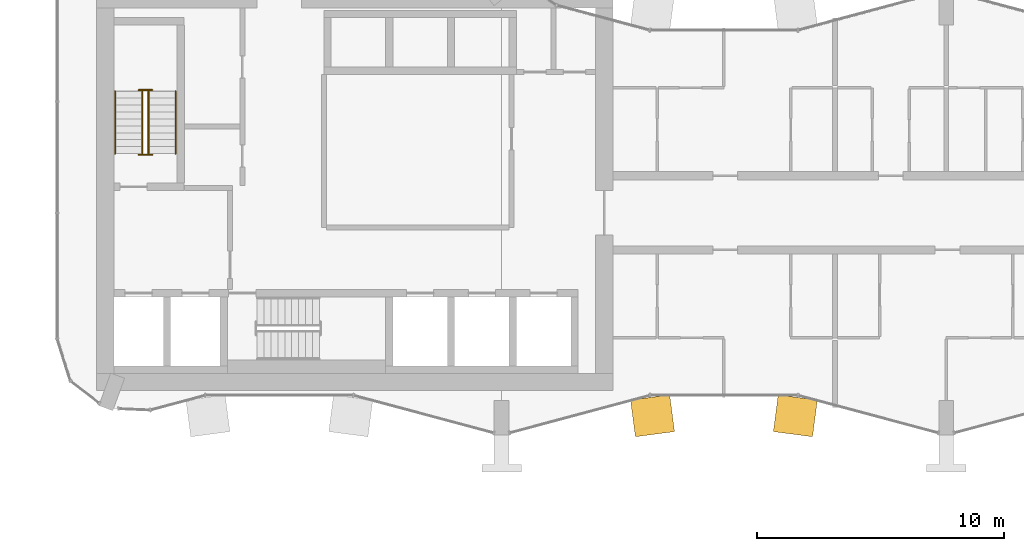
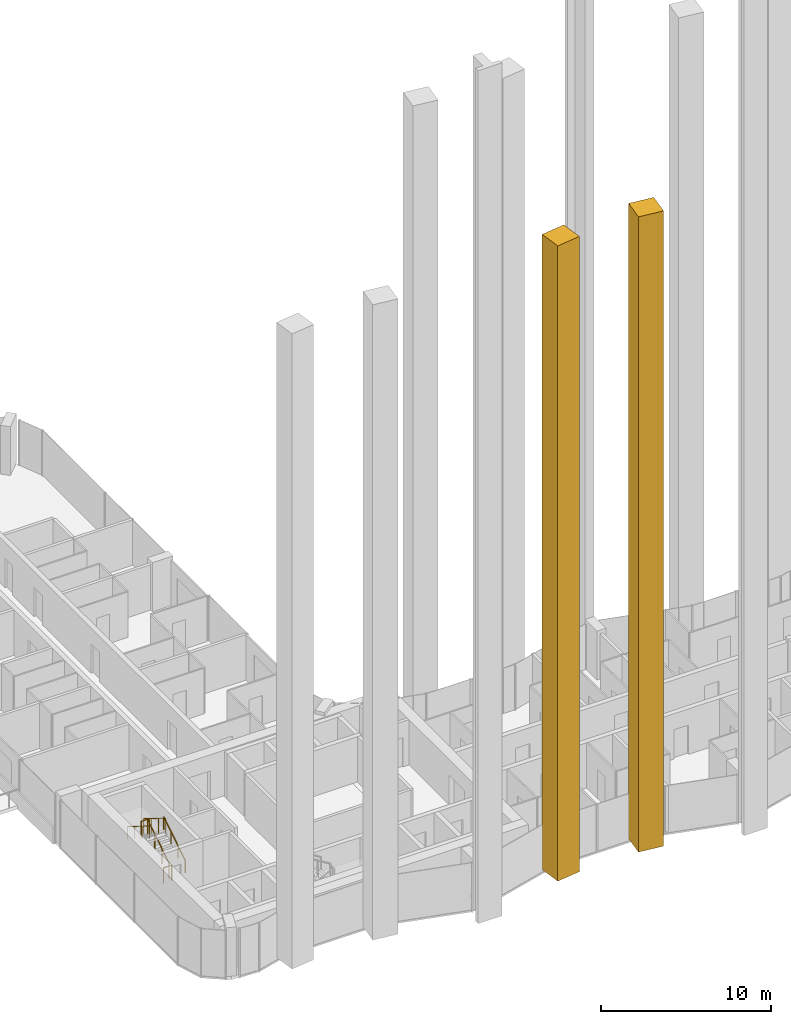
# One storey, part 22 of 27: 6 railings, 2 coverings.
"""IFC4 building model written with IfcOpenShell, lengths in metres."""

from ifc_helpers import new_model, si_unit, direction, frame, origin, origin_2d, place, context, subcontext, project, spatial, polyline, circle, outline, extrude, material, type_object, element, save


model = new_model("IFC4")

# Units and contexts
model_context = context("Model", 3, precision=1e-05, world=origin(), true_north=direction((0.0, 1.0)))
body_context = subcontext(model_context, "Body", "Model", "MODEL_VIEW")
ifc_project = project(units=[si_unit("LENGTHUNIT", "METRE"), si_unit("AREAUNIT", "SQUARE_METRE"), si_unit("VOLUMEUNIT", "CUBIC_METRE"), si_unit("PLANEANGLEUNIT", "RADIAN"), si_unit("MASSUNIT", "GRAM", prefix="KILO")], contexts=[model_context])

# Site, building, storey
site_placement = place(None, origin())
site = spatial("IfcSite", under=ifc_project, at=site_placement, CompositionType="ELEMENT")
building_placement = place(site_placement, origin())
building = spatial("IfcBuilding", under=site, at=building_placement, Name="Plateau Cross Towers", CompositionType="ELEMENT")
storey_placement = place(building_placement, frame((0.0, 0.0, 78.300048828125)))
storey = spatial("IfcBuildingStorey", under=building, at=storey_placement, Name="L19", CompositionType="ELEMENT", Elevation=78.300048828125)

# Coverings
ifc_material_1 = material(Name="Light precast concrete cladding C40/50", Category="concrete")
covering_type = type_object("IfcCoveringType", Name="Flute pier cladding 1600x1500", PredefinedType="CLADDING", material=ifc_material_1)
covering_1_placement = place(storey_placement, origin())
element("IfcCovering", 1, at=covering_1_placement, inside=storey, type_object=covering_type, Name="Flute pier", PredefinedType="CLADDING", context=body_context, shape_type="SweptSolid", body=[
    extrude(outline(polyline([(23.2177734375, 1.419677734375), (24.80419921875, 1.62841796875), (24.999755859375, 0.14111328125), (23.41357421875, -0.067626953125), (23.2177734375, 1.419677734375)])), origin(), (0.0, 0.0, 1.0), 45.5),
])
covering_2_placement = place(storey_placement, origin())
element("IfcCovering", 2, at=covering_2_placement, inside=storey, type_object=covering_type, Name="Flute pier", PredefinedType="CLADDING", context=body_context, shape_type="SweptSolid", body=[
    extrude(outline(polyline([(29.19580078125, 1.62841796875), (30.7822265625, 1.419677734375), (30.58642578125, -0.067626953125), (29.000244140625, 0.14111328125), (29.19580078125, 1.62841796875)])), origin(), (0.0, 0.0, 1.0), 45.5),
])

# Railings
ifc_material_2 = material(Name="Stainless steel and toughened glass", Category="steel")
railing_type_1 = type_object("IfcRailingType", Name="RL-GUARD-1100", PredefinedType="GUARDRAIL", material=ifc_material_2)
railing_1_placement = place(storey_placement, frame((3.699951171875, 11.39990234375, 0.175048828125)))
element("IfcRailing", 3, at=railing_1_placement, inside=storey, type_object=railing_type_1, Name="L19 ST-1 stair guard 1", PredefinedType="GUARDRAIL", context=body_context, shape_type="SweptSolid", body=[
    extrude(circle(Radius=0.02392578125, at=origin_2d()), frame((0.0, 0.0, 1.076171875), z_axis=(0.0, 0.848007534815, 0.529984170421), x_axis=(-1.0, 0.0, 0.0)), (0.0, 0.0, 1.0), 2.9716796875),
    extrude(circle(Radius=0.02099609375, at=origin_2d()), origin(), (0.0, 0.0, 1.0), 1.052001953125),
    extrude(circle(Radius=0.02099609375, at=origin_2d()), frame((0.0, 0.840087890625, 0.52490234375)), (0.0, 0.0, 1.0), 1.052001953125),
    extrude(circle(Radius=0.02099609375, at=origin_2d()), frame((0.0, 1.679931640625, 1.050048828125)), (0.0, 0.0, 1.0), 1.052001953125),
    extrude(circle(Radius=0.02099609375, at=origin_2d()), frame((0.0, 2.52001953125, 1.574951171875)), (0.0, 0.0, 1.0), 1.052001953125),
])
railing_2_placement = place(storey_placement, frame((3.85009765625, 13.969970703125, 1.75)))
element("IfcRailing", 4, at=railing_2_placement, inside=storey, type_object=railing_type_1, Name="L19 ST-1 stair guard 2", PredefinedType="GUARDRAIL", context=body_context, shape_type="SweptSolid", body=[
    extrude(circle(Radius=0.02392578125, at=origin_2d()), frame((0.0, 0.0, 1.076171875), z_axis=(-1.0, 0.0, 0.0), x_axis=(0.0, -1.0, 0.0)), (0.0, 0.0, 1.0), 0.550048828125),
    extrude(circle(Radius=0.02099609375, at=origin_2d()), origin(), (0.0, 0.0, 1.0), 1.052001953125),
    extrude(circle(Radius=0.02099609375, at=origin_2d()), frame((-0.550048828125, 0.0, 0.0)), (0.0, 0.0, 1.0), 1.052001953125),
])
railing_3_placement = place(storey_placement, frame((3.449951171875, 13.919921875, 1.925048828125)))
element("IfcRailing", 5, at=railing_3_placement, inside=storey, type_object=railing_type_1, Name="L19 ST-1 stair guard 3", PredefinedType="GUARDRAIL", context=body_context, shape_type="SweptSolid", body=[
    extrude(circle(Radius=0.02392578125, at=origin_2d()), frame((0.0, 0.0, 1.076171875), z_axis=(0.0, -0.852616386126, 0.522537365276), x_axis=(1.0, 0.0, 0.0)), (0.0, 0.0, 1.0), 3.01416015625),
    extrude(circle(Radius=0.02099609375, at=origin_2d()), origin(), (0.0, 0.0, 1.0), 1.052001953125),
    extrude(circle(Radius=0.02099609375, at=origin_2d()), frame((0.0, -0.856689453125, 0.52490234375)), (0.0, 0.0, 1.0), 1.052001953125),
    extrude(circle(Radius=0.02099609375, at=origin_2d()), frame((0.0, -1.713134765625, 1.050048828125)), (0.0, 0.0, 1.0), 1.052001953125),
    extrude(circle(Radius=0.02099609375, at=origin_2d()), frame((0.0, -2.56982421875, 1.574951171875)), (0.0, 0.0, 1.0), 1.052001953125),
])
railing_4_placement = place(storey_placement, frame((3.85009765625, 11.35009765625, 0.0)))
element("IfcRailing", 6, at=railing_4_placement, inside=storey, type_object=railing_type_1, Name="L19 ST-1 stair guard 4", PredefinedType="GUARDRAIL", context=body_context, shape_type="SweptSolid", body=[
    extrude(circle(Radius=0.02392578125, at=origin_2d()), frame((0.0, 0.0, 1.076171875), z_axis=(-1.0, 0.0, 0.0), x_axis=(0.0, -1.0, 0.0)), (0.0, 0.0, 1.0), 0.550048828125),
    extrude(circle(Radius=0.02099609375, at=origin_2d()), origin(), (0.0, 0.0, 1.0), 1.052001953125),
    extrude(circle(Radius=0.02099609375, at=origin_2d()), frame((-0.550048828125, 0.0, 0.0)), (0.0, 0.0, 1.0), 1.052001953125),
])
ifc_material_3 = material(Name="Black anodised aluminium", Category="aluminium")
railing_type_2 = type_object("IfcRailingType", Name="RL-HANDRAIL-900", PredefinedType="HANDRAIL", material=ifc_material_3)
railing_5_placement = place(storey_placement, frame((4.800048828125, 11.39990234375, 0.175048828125)))
element("IfcRailing", 7, at=railing_5_placement, inside=storey, type_object=railing_type_2, Name="L19 ST-1 stair handrail 1", PredefinedType="HANDRAIL", context=body_context, shape_type="SweptSolid", body=[
    extrude(circle(Radius=0.02392578125, at=origin_2d()), frame((0.0, 0.0, 0.8759765625), z_axis=(0.0, 0.848007534815, 0.529984170421), x_axis=(-1.0, 0.0, 0.0)), (0.0, 0.0, 1.0), 2.9716796875),
    extrude(circle(Radius=0.02099609375, at=origin_2d()), origin(), (0.0, 0.0, 1.0), 0.851806640625),
    extrude(circle(Radius=0.02099609375, at=origin_2d()), frame((0.0, 0.840087890625, 0.52490234375)), (0.0, 0.0, 1.0), 0.851806640625),
    extrude(circle(Radius=0.02099609375, at=origin_2d()), frame((0.0, 1.679931640625, 1.050048828125)), (0.0, 0.0, 1.0), 0.851806640625),
    extrude(circle(Radius=0.02099609375, at=origin_2d()), frame((0.0, 2.52001953125, 1.574951171875)), (0.0, 0.0, 1.0), 0.851806640625),
])
railing_6_placement = place(storey_placement, frame((2.35009765625, 13.919921875, 1.925048828125)))
element("IfcRailing", 8, at=railing_6_placement, inside=storey, type_object=railing_type_2, Name="L19 ST-1 stair handrail 2", PredefinedType="HANDRAIL", context=body_context, shape_type="SweptSolid", body=[
    extrude(circle(Radius=0.02392578125, at=origin_2d()), frame((0.0, 0.0, 0.8759765625), z_axis=(0.0, -0.848007534815, 0.529984170421), x_axis=(1.0, 0.0, 0.0)), (0.0, 0.0, 1.0), 2.9716796875),
    extrude(circle(Radius=0.02099609375, at=origin_2d()), origin(), (0.0, 0.0, 1.0), 0.851806640625),
    extrude(circle(Radius=0.02099609375, at=origin_2d()), frame((0.0, -0.840087890625, 0.52490234375)), (0.0, 0.0, 1.0), 0.851806640625),
    extrude(circle(Radius=0.02099609375, at=origin_2d()), frame((0.0, -1.679931640625, 1.050048828125)), (0.0, 0.0, 1.0), 0.851806640625),
    extrude(circle(Radius=0.02099609375, at=origin_2d()), frame((0.0, -2.52001953125, 1.574951171875)), (0.0, 0.0, 1.0), 0.851806640625),
])

save(model, "model.ifc")
